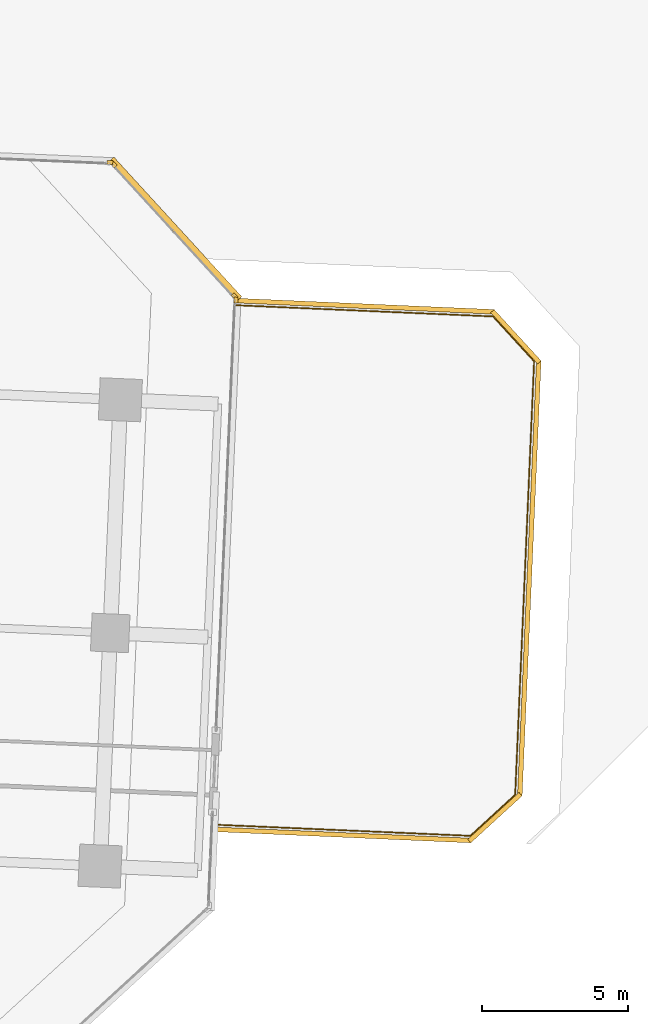
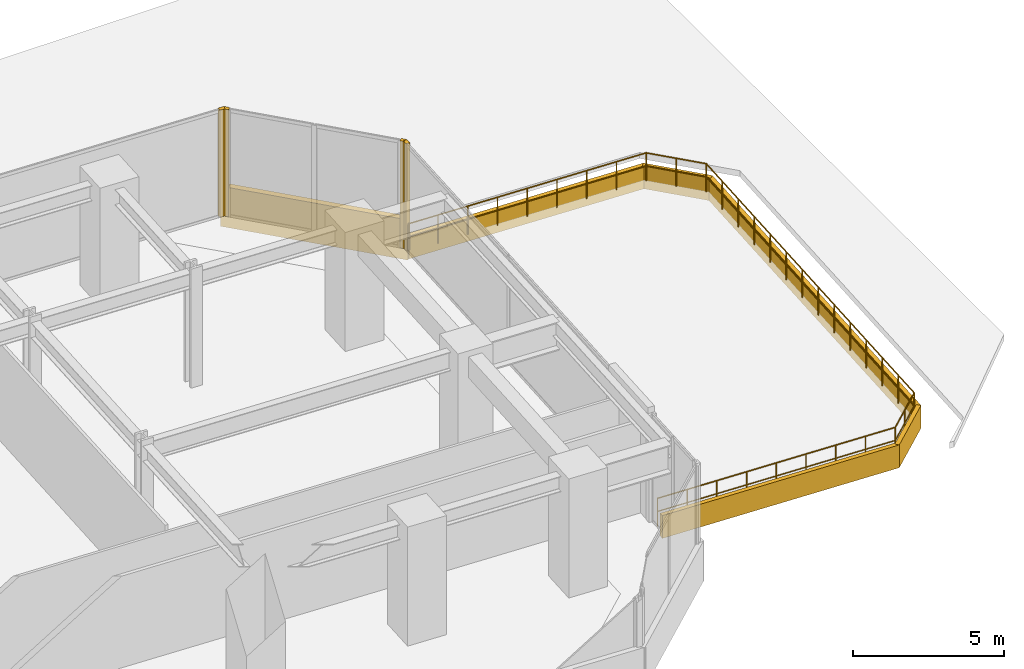
# One storey, part 33 of 33: 10 coverings, 1 railing.
"""IFC4 building model written with IfcOpenShell, lengths in metres."""

from ifc_helpers import new_model, si_unit, direction, frame, origin, origin_2d, place, context, subcontext, project, spatial, rectangle, circle, extrude, source, transform, mapped, material, layer, layer_set, type_object, element, save


model = new_model("IFC4")

# Units and contexts
model_context = context("Model", 3, precision=1e-05, world=origin(), true_north=direction((0.0, 1.0)))
body_context = subcontext(model_context, "Body", "Model", "MODEL_VIEW")
ifc_project = project(units=[si_unit("LENGTHUNIT", "METRE"), si_unit("AREAUNIT", "SQUARE_METRE"), si_unit("VOLUMEUNIT", "CUBIC_METRE"), si_unit("PLANEANGLEUNIT", "RADIAN"), si_unit("MASSUNIT", "GRAM", prefix="KILO")], contexts=[model_context])

# Site, building, storey
site_placement = place(None, origin())
site = spatial("IfcSite", under=ifc_project, at=site_placement, CompositionType="ELEMENT")
building_placement = place(site_placement, origin())
building = spatial("IfcBuilding", under=site, at=building_placement, Name="Torre Montelarca", CompositionType="ELEMENT")
storey_placement = place(building_placement, frame((0.0, 0.0, 32.800048828125)))
storey = spatial("IfcBuildingStorey", under=building, at=storey_placement, Name="L07", CompositionType="ELEMENT", Elevation=32.800048828125)

# Railing
ifc_material_1 = material(Name="Stainless steel AISI 316 and laminated glass", Category="steel")
railing_type = type_object("IfcRailingType", Name="RL-EXT-GUARD-1150", PredefinedType="BALUSTRADE", material=ifc_material_1)
railing_placement = place(storey_placement, frame((63.460205078125, 23.751953125, 0.0)))
element("IfcRailing", 1, at=railing_placement, inside=storey, type_object=railing_type, Name="L07 Outdoor Terrace Balustrade Guard RL-L07-TER-01", PredefinedType="BALUSTRADE", context=body_context, shape_type="SweptSolid", body=[
    extrude(circle(Radius=0.02392578125, at=origin_2d()), frame((0.0, 0.0, 1.1259765625), z_axis=(0.999047609939, -0.043633394028, 0.0), x_axis=(0.043633394028, 0.999047609939, 0.0)), (0.0, 0.0, 1.0), 8.857421875),
    extrude(circle(Radius=0.02099609375, at=origin_2d()), frame((0.0, 0.0, 0.597900390625), z_axis=(0.999047609939, -0.043633394028, 0.0), x_axis=(0.043633394028, 0.999047609939, 0.0)), (0.0, 0.0, 1.0), 8.857421875),
    extrude(circle(Radius=0.02392578125, at=origin_2d()), frame((8.848876953125, -0.386474609375, 1.1259765625), z_axis=(0.737207661787, 0.67566623669, 0.0), x_axis=(-0.67566623669, 0.737207661787, 0.0)), (0.0, 0.0, 1.0), 2.082763671875),
    extrude(circle(Radius=0.02099609375, at=origin_2d()), frame((8.848876953125, -0.386474609375, 0.597900390625), z_axis=(0.737207661787, 0.67566623669, 0.0), x_axis=(-0.67566623669, 0.737207661787, 0.0)), (0.0, 0.0, 1.0), 2.082763671875),
    extrude(circle(Radius=0.02392578125, at=origin_2d()), frame((10.38427734375, 1.020751953125, 1.1259765625), z_axis=(0.043626689319, 0.999047902745, 0.0), x_axis=(-0.999047902745, 0.043626689319, 0.0)), (0.0, 0.0, 1.0), 14.87451171875),
    extrude(circle(Radius=0.02099609375, at=origin_2d()), frame((10.38427734375, 1.020751953125, 0.597900390625), z_axis=(0.043626689319, 0.999047902745, 0.0), x_axis=(-0.999047902745, 0.043626689319, 0.0)), (0.0, 0.0, 1.0), 14.87451171875),
    extrude(circle(Radius=0.02392578125, at=origin_2d()), frame((11.033203125, 15.881103515625, 1.1259765625), z_axis=(-0.675607850715, 0.7372611695, 0.0), x_axis=(-0.7372611695, -0.675607850715, 0.0)), (0.0, 0.0, 1.0), 2.0830078125),
    extrude(circle(Radius=0.02099609375, at=origin_2d()), frame((11.033203125, 15.881103515625, 0.597900390625), z_axis=(-0.675607850715, 0.7372611695, 0.0), x_axis=(-0.7372611695, -0.675607850715, 0.0)), (0.0, 0.0, 1.0), 2.0830078125),
    extrude(circle(Radius=0.02392578125, at=origin_2d()), frame((9.6259765625, 17.416748046875, 1.1259765625), z_axis=(-0.999048758702, 0.043607083552, 0.0), x_axis=(-0.043607083552, -0.999048758702, 0.0)), (0.0, 0.0, 1.0), 8.857177734375),
    extrude(circle(Radius=0.02099609375, at=origin_2d()), frame((9.6259765625, 17.416748046875, 0.597900390625), z_axis=(-0.999048758702, 0.043607083552, 0.0), x_axis=(-0.043607083552, -0.999048758702, 0.0)), (0.0, 0.0, 1.0), 8.857177734375),
    extrude(circle(Radius=0.02099609375, at=origin_2d()), origin(), (0.0, 0.0, 1.0), 1.101806640625),
    extrude(circle(Radius=0.02099609375, at=origin_2d()), frame((1.106201171875, -0.04833984375, 0.0)), (0.0, 0.0, 1.0), 1.101806640625),
    extrude(circle(Radius=0.02099609375, at=origin_2d()), frame((2.212158203125, -0.0966796875, 0.0)), (0.0, 0.0, 1.0), 1.101806640625),
    extrude(circle(Radius=0.02099609375, at=origin_2d()), frame((3.318359375, -0.14501953125, 0.0)), (0.0, 0.0, 1.0), 1.101806640625),
    extrude(circle(Radius=0.02099609375, at=origin_2d()), frame((4.42431640625, -0.193359375, 0.0)), (0.0, 0.0, 1.0), 1.101806640625),
    extrude(circle(Radius=0.02099609375, at=origin_2d()), frame((5.530517578125, -0.241455078125, 0.0)), (0.0, 0.0, 1.0), 1.101806640625),
    extrude(circle(Radius=0.02099609375, at=origin_2d()), frame((6.63671875, -0.289794921875, 0.0)), (0.0, 0.0, 1.0), 1.101806640625),
    extrude(circle(Radius=0.02099609375, at=origin_2d()), frame((7.74267578125, -0.338134765625, 0.0)), (0.0, 0.0, 1.0), 1.101806640625),
    extrude(circle(Radius=0.02099609375, at=origin_2d()), frame((8.848876953125, -0.386474609375, 0.0)), (0.0, 0.0, 1.0), 1.101806640625),
    extrude(circle(Radius=0.02099609375, at=origin_2d()), frame((9.61669921875, 0.317138671875, 0.0)), (0.0, 0.0, 1.0), 1.101806640625),
    extrude(circle(Radius=0.02099609375, at=origin_2d()), frame((10.38427734375, 1.020751953125, 0.0)), (0.0, 0.0, 1.0), 1.101806640625),
    extrude(circle(Radius=0.02099609375, at=origin_2d()), frame((10.43408203125, 2.163818359375, 0.0)), (0.0, 0.0, 1.0), 1.101806640625),
    extrude(circle(Radius=0.02099609375, at=origin_2d()), frame((10.484130859375, 3.306884765625, 0.0)), (0.0, 0.0, 1.0), 1.101806640625),
    extrude(circle(Radius=0.02099609375, at=origin_2d()), frame((10.533935546875, 4.449951171875, 0.0)), (0.0, 0.0, 1.0), 1.101806640625),
    extrude(circle(Radius=0.02099609375, at=origin_2d()), frame((10.583984375, 5.59326171875, 0.0)), (0.0, 0.0, 1.0), 1.101806640625),
    extrude(circle(Radius=0.02099609375, at=origin_2d()), frame((10.6337890625, 6.736328125, 0.0)), (0.0, 0.0, 1.0), 1.101806640625),
    extrude(circle(Radius=0.02099609375, at=origin_2d()), frame((10.683837890625, 7.87939453125, 0.0)), (0.0, 0.0, 1.0), 1.101806640625),
    extrude(circle(Radius=0.02099609375, at=origin_2d()), frame((10.733642578125, 9.0224609375, 0.0)), (0.0, 0.0, 1.0), 1.101806640625),
    extrude(circle(Radius=0.02099609375, at=origin_2d()), frame((10.78369140625, 10.16552734375, 0.0)), (0.0, 0.0, 1.0), 1.101806640625),
    extrude(circle(Radius=0.02099609375, at=origin_2d()), frame((10.83349609375, 11.30859375, 0.0)), (0.0, 0.0, 1.0), 1.101806640625),
    extrude(circle(Radius=0.02099609375, at=origin_2d()), frame((10.883544921875, 12.451904296875, 0.0)), (0.0, 0.0, 1.0), 1.101806640625),
    extrude(circle(Radius=0.02099609375, at=origin_2d()), frame((10.933349609375, 13.594970703125, 0.0)), (0.0, 0.0, 1.0), 1.101806640625),
    extrude(circle(Radius=0.02099609375, at=origin_2d()), frame((10.9833984375, 14.738037109375, 0.0)), (0.0, 0.0, 1.0), 1.101806640625),
    extrude(circle(Radius=0.02099609375, at=origin_2d()), frame((11.033203125, 15.881103515625, 0.0)), (0.0, 0.0, 1.0), 1.101806640625),
    extrude(circle(Radius=0.02099609375, at=origin_2d()), frame((10.32958984375, 16.64892578125, 0.0)), (0.0, 0.0, 1.0), 1.101806640625),
    extrude(circle(Radius=0.02099609375, at=origin_2d()), frame((9.6259765625, 17.416748046875, 0.0)), (0.0, 0.0, 1.0), 1.101806640625),
    extrude(circle(Radius=0.02099609375, at=origin_2d()), frame((8.52001953125, 17.465087890625, 0.0)), (0.0, 0.0, 1.0), 1.101806640625),
    extrude(circle(Radius=0.02099609375, at=origin_2d()), frame((7.413818359375, 17.51318359375, 0.0)), (0.0, 0.0, 1.0), 1.101806640625),
    extrude(circle(Radius=0.02099609375, at=origin_2d()), frame((6.3076171875, 17.5615234375, 0.0)), (0.0, 0.0, 1.0), 1.101806640625),
    extrude(circle(Radius=0.02099609375, at=origin_2d()), frame((5.20166015625, 17.60986328125, 0.0)), (0.0, 0.0, 1.0), 1.101806640625),
    extrude(circle(Radius=0.02099609375, at=origin_2d()), frame((4.095703125, 17.658203125, 0.0)), (0.0, 0.0, 1.0), 1.101806640625),
    extrude(circle(Radius=0.02099609375, at=origin_2d()), frame((2.989501953125, 17.70654296875, 0.0)), (0.0, 0.0, 1.0), 1.101806640625),
    extrude(circle(Radius=0.02099609375, at=origin_2d()), frame((1.88330078125, 17.754638671875, 0.0)), (0.0, 0.0, 1.0), 1.101806640625),
    extrude(circle(Radius=0.02099609375, at=origin_2d()), frame((0.77734375, 17.802978515625, 0.0)), (0.0, 0.0, 1.0), 1.101806640625),
])

# Coverings
ifc_material_2 = material(Name="Bush-hammered warm white precast concrete C45/55", Category="concrete")
ifc_layer = layer(ifc_material_2, 0.139892578125, Name="Bush-hammered warm white precast concrete C45/55", Category="concrete")
ifc_layer_set = layer_set([ifc_layer], Name="Bush-hammered warm white precast concrete C45/55")
covering_type = type_object("IfcCoveringType", Name="COV-TRAY-CLAD", PredefinedType="CLADDING", material=ifc_layer_set)
shared_shape_1 = source(origin(), body_context, "Body", "SweptSolid", [
    extrude(rectangle(XDim=0.199951171875, YDim=0.139892578125, at=origin_2d()), origin(), (0.0, 0.0, 1.0), 4.320068359375),
])
for number, where, z_axis, x_axis, name in (
    (2, (64.275146484375, 41.7275390625, 0.0), (0.0, 0.0, 1.0), (0.043621131033, 0.99904814545, 0.0), "L07 Architectural Column Pier Cladding E06-2"),
    (3, (64.225341796875, 41.864013671875, 0.0), (0.0, 0.0, 1.0), (-0.675586347231, 0.737280874182, 0.0), "L07 Architectural Column Pier Cladding E07-1"),
    (4, (60.08251953125, 46.38525390625, 0.0), (0.0, 0.0, 1.0), (-0.675586347231, 0.737280874182, 0.0), "L07 Architectural Column Pier Cladding E07-2"),
    (5, (59.950927734375, 46.446533203125, 0.0), (0.0, 0.0, 1.0), (-0.99904814545, 0.043621131033, 0.0), "L07 Architectural Column Pier Cladding E08-1"),
):
    element("IfcCovering", number, at=place(storey_placement, frame(where, z_axis=z_axis, x_axis=x_axis)), inside=storey, type_object=covering_type, Name=name, PredefinedType="CLADDING", context=body_context, shape_type="MappedRepresentation", body=[
        mapped(shared_shape_1, transform((0.0, 0.0, 0.0), scale=1.0)),
    ])
shared_shape_2 = source(origin(), body_context, "Body", "SweptSolid", [
    extrude(rectangle(XDim=6.48388671875, YDim=0.219970703125, at=origin_2d()), origin(), (0.0, 0.0, 1.0), 1.6201171875),
])
covering_1_placement = place(storey_placement, frame((62.1982421875, 44.1650390625, -0.4501953125), z_axis=(0.0, 0.0, 1.0), x_axis=(-0.675587634028, 0.73727969506, 0.0)))
element("IfcCovering", 6, at=covering_1_placement, inside=storey, type_object=covering_type, Name="L07 Architectural White Spandrel Tray Band TRYBOT-07", PredefinedType="CLADDING", context=body_context, shape_type="MappedRepresentation", body=[
    mapped(shared_shape_2, transform((0.0, 0.0, 0.0), scale=1.0)),
])
shared_shape_3 = source(origin(), body_context, "Body", "SweptSolid", [
    extrude(rectangle(XDim=8.820068359375, YDim=0.159912109375, at=origin_2d()), origin(), (0.0, 0.0, 1.0), 0.919921875),
])
for number, where, z_axis, x_axis, name in (
    (7, (67.9189453125, 23.39697265625, -0.360107421875), (0.0, 0.0, 1.0), (0.99904814545, -0.043621131033, 0.0), "L07 Architectural White Spandrel Tray Band TERBND1-01"),
    (8, (68.710205078125, 41.519775390625, -0.360107421875), (0.0, 0.0, 1.0), (-0.99904814545, 0.043621131033, 0.0), "L07 Architectural White Spandrel Tray Band TERBND1-05"),
):
    element("IfcCovering", number, at=place(storey_placement, frame(where, z_axis=z_axis, x_axis=x_axis)), inside=storey, type_object=covering_type, Name=name, PredefinedType="CLADDING", context=body_context, shape_type="MappedRepresentation", body=[
        mapped(shared_shape_3, transform((0.0, 0.0, 0.0), scale=1.0)),
    ])
shared_shape_4 = source(origin(), body_context, "Body", "SweptSolid", [
    extrude(rectangle(XDim=2.3828125, YDim=0.159912109375, at=origin_2d()), origin(), (0.0, 0.0, 1.0), 0.919921875),
])
for number, where, z_axis, x_axis, name in (
    (9, (73.149169921875, 23.989990234375, -0.360107421875), (0.0, 0.0, 1.0), (0.737280874182, 0.675586347231, 0.0), "L07 Architectural White Spandrel Tray Band TERBND1-02"),
    (10, (73.868896484375, 40.47314453125, -0.360107421875), (0.0, 0.0, 1.0), (-0.675586347231, 0.737280874182, 0.0), "L07 Architectural White Spandrel Tray Band TERBND1-04"),
):
    element("IfcCovering", number, at=place(storey_placement, frame(where, z_axis=z_axis, x_axis=x_axis)), inside=storey, type_object=covering_type, Name=name, PredefinedType="CLADDING", context=body_context, shape_type="MappedRepresentation", body=[
        mapped(shared_shape_4, transform((0.0, 0.0, 0.0), scale=1.0)),
    ])
shared_shape_5 = source(origin(), body_context, "Body", "SweptSolid", [
    extrude(rectangle(XDim=14.919921875, YDim=0.159912109375, at=origin_2d()), origin(), (0.0, 0.0, 1.0), 0.919921875),
])
covering_2_placement = place(storey_placement, frame((74.328857421875, 32.19580078125, -0.360107421875), z_axis=(0.0, 0.0, 1.0), x_axis=(0.043621131033, 0.99904814545, 0.0)))
element("IfcCovering", 11, at=covering_2_placement, inside=storey, type_object=covering_type, Name="L07 Architectural White Spandrel Tray Band TERBND1-03", PredefinedType="CLADDING", context=body_context, shape_type="MappedRepresentation", body=[
    mapped(shared_shape_5, transform((0.0, 0.0, 0.0), scale=1.0)),
])

save(model, "model.ifc")
